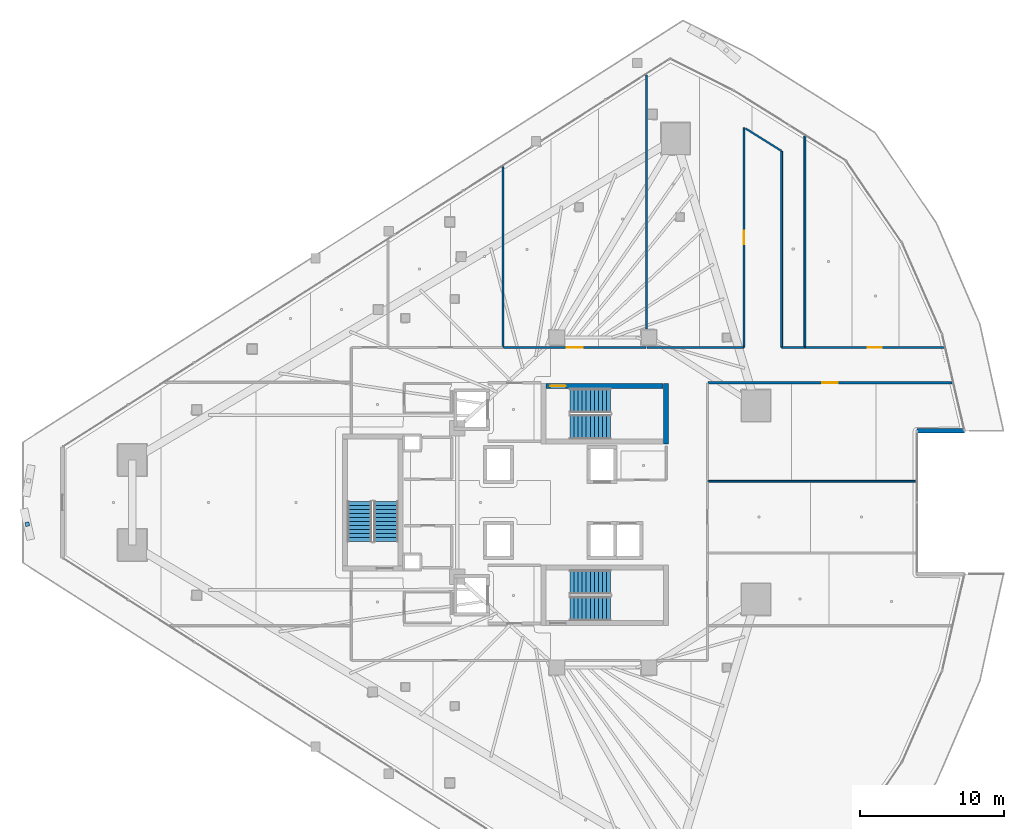
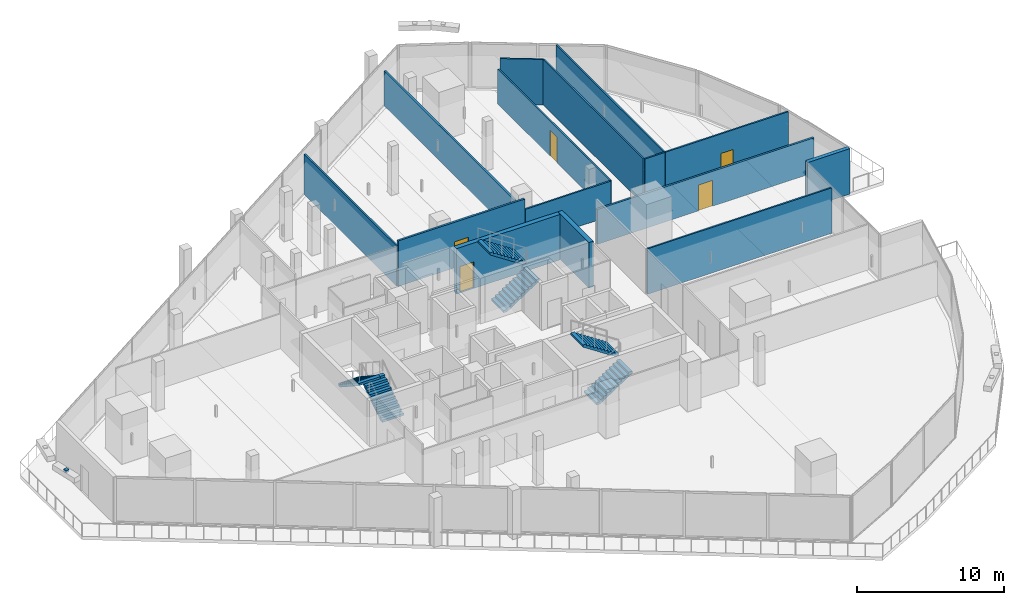
# One storey, part 29 of 42: 15 walls, 6 stair flights, 5 doors, 1 discrete accessory, 5 openings, 3 elements without a shape of their own.
"""IFC4 building model written with IfcOpenShell, lengths in metres."""

from ifc_helpers import new_model, si_unit, direction, frame, frame_2d, origin, origin_2d, place, context, subcontext, project, spatial, polyline, rectangle, outline, extrude, material, layer, layer_set, type_object, element, fill, aggregate, save


model = new_model("IFC4")

# Units and contexts
model_context = context("Model", 3, precision=1e-05, world=origin(), true_north=direction((0.0, 1.0)))
body_context = subcontext(model_context, "Body", "Model", "MODEL_VIEW")
ifc_project = project(units=[si_unit("LENGTHUNIT", "METRE"), si_unit("AREAUNIT", "SQUARE_METRE"), si_unit("VOLUMEUNIT", "CUBIC_METRE"), si_unit("PLANEANGLEUNIT", "RADIAN"), si_unit("MASSUNIT", "GRAM", prefix="KILO")], contexts=[model_context])

# Site, building, storey
site_placement = place(None, origin())
site = spatial("IfcSite", under=ifc_project, at=site_placement, CompositionType="ELEMENT")
building_placement = place(site_placement, origin())
building = spatial("IfcBuilding", under=site, at=building_placement, Name="Qorvath Tower", CompositionType="ELEMENT")
storey_placement = place(building_placement, frame((0.0, 0.0, 121.949951171875)))
storey = spatial("IfcBuildingStorey", under=building, at=storey_placement, Name="L27", CompositionType="ELEMENT", Elevation=121.949951171875)

# Wall, opening, door
ifc_material_1 = material(Name="Double acoustic gypsum board on steel studs", Category="steel")
ifc_layer_1 = layer(ifc_material_1, 0.159912109375)
ifc_layer_set_1 = layer_set([ifc_layer_1], Name="IW-ACOUSTIC-160")
wall_type_1 = type_object("IfcWallType", Name="IW-ACOUSTIC-160", PredefinedType="PARTITIONING", material=ifc_layer_set_1)
wall_1_placement = place(storey_placement, frame((-27.289794921875, 10.758056640625, 0.0), z_axis=(0.0, 0.0, 1.0), x_axis=(1.0, 0.0, 0.0)))
wall_1 = element("IfcWall", 1, at=wall_1_placement, inside=storey, type_object=wall_type_1, Name="Interior Partition IW-T1-L27-027", PredefinedType="PARTITIONING", context=body_context, shape_type="SweptSolid", body=[
    extrude(rectangle(XDim=9.899169921875, YDim=0.159912109375, at=frame_2d((4.94970703125, 0.0))), origin(), (0.0, 0.0, 1.0), 3.77001953125),
])
opening_1_placement = place(wall_1_placement, frame((4.399658203125, 0.0, 0.0)))
opening_1 = element("IfcOpeningElement", 2, at=opening_1_placement, cuts=wall_1, Name="Opening D-T1-L27-08", PredefinedType="OPENING", context=body_context, shape_type="SweptSolid", body=[
    extrude(rectangle(XDim=1.10009765625, YDim=2.14990234375, at=frame_2d((0.550048828125, 1.074951171875))), frame((0.0, 0.08984375, 0.0), z_axis=(0.0, -1.0, 0.0), x_axis=(1.0, 0.0, 0.0)), (0.0, 0.0, 1.0), 0.179931640625),
])
ifc_material_2 = material(Name="Anodised aluminium acoustic framed glass", Category="aluminium")
door_type_1 = type_object("IfcDoorType", Name="D-03", OperationType="NOTDEFINED", PredefinedType="DOOR", material=ifc_material_2)
door_1_placement = place(opening_1_placement, origin())
door_1 = element("IfcDoor", 3, at=door_1_placement, inside=storey, type_object=door_type_1, Name="L27-03 Client Services Office Door D-T1-L27-08", OperationType="SINGLE_SWING_LEFT", OverallHeight=2.14990234375, OverallWidth=1.10009765625, PredefinedType="DOOR", context=body_context, shape_type="SweptSolid", body=[
    extrude(rectangle(XDim=1.10009765625, YDim=2.14990234375, at=frame_2d((0.550048828125, 1.074951171875))), frame((0.0, 0.02490234375, 0.0), z_axis=(0.0, -1.0, 0.0), x_axis=(1.0, 0.0, 0.0)), (0.0, 0.0, 1.0), 0.050048828125),
])
fill(opening_1, door_1)

# Wall
wall_2_placement = place(storey_placement, frame((-17.36572265625, 12.0400390625, 0.0), z_axis=(0.0, 0.0, 1.0), x_axis=(0.0, 1.0, 0.0)))
element("IfcWall", 4, at=wall_2_placement, inside=storey, type_object=wall_type_1, Name="Interior Partition IW-T1-L27-028", PredefinedType="PARTITIONING", context=body_context, shape_type="SweptSolid", body=[
    extrude(rectangle(XDim=17.62841796875, YDim=0.159912109375, at=frame_2d((8.814208984375, 0.0))), origin(), (0.0, 0.0, 1.0), 2.885009765625),
])

# Wall, opening, door
wall_3_placement = place(storey_placement, frame((3.845703125, 8.31201171875, 0.0), z_axis=(0.0, 0.0, 1.0), x_axis=(-1.0, 0.0, 0.0)))
wall_3 = element("IfcWall", 5, at=wall_3_placement, inside=storey, type_object=wall_type_1, Name="Interior Partition IW-T1-L27-047", PredefinedType="PARTITIONING", context=body_context, shape_type="SweptSolid", body=[
    extrude(rectangle(XDim=16.962890625, YDim=0.159912109375, at=frame_2d((8.4814453125, 0.0))), origin(), (0.0, 0.0, 1.0), 2.885009765625),
])
opening_2_placement = place(wall_3_placement, frame((7.931396484375, 0.0, 0.0)))
opening_2 = element("IfcOpeningElement", 6, at=opening_2_placement, cuts=wall_3, Name="Opening D-T1-L27-14", PredefinedType="OPENING", context=body_context, shape_type="SweptSolid", body=[
    extrude(rectangle(XDim=1.10009765625, YDim=2.14990234375, at=frame_2d((0.550048828125, 1.074951171875))), frame((0.0, 0.08984375, 0.0), z_axis=(0.0, -1.0, 0.0), x_axis=(1.0, 0.0, 0.0)), (0.0, 0.0, 1.0), 0.179931640625),
])
door_2_placement = place(opening_2_placement, origin())
door_2 = element("IfcDoor", 7, at=door_2_placement, inside=storey, type_object=door_type_1, Name="L27-09 Digital Visualization Suite Door D-T1-L27-14", OperationType="SINGLE_SWING_LEFT", OverallHeight=2.14990234375, OverallWidth=1.10009765625, PredefinedType="DOOR", context=body_context, shape_type="SweptSolid", body=[
    extrude(rectangle(XDim=1.10009765625, YDim=2.14990234375, at=frame_2d((0.550048828125, 1.074951171875))), frame((0.0, 0.02490234375, 0.0), z_axis=(0.0, -1.0, 0.0), x_axis=(1.0, 0.0, 0.0)), (0.0, 0.0, 1.0), 0.050048828125),
])
fill(opening_2, door_2)

# Walls
ifc_material_3 = material(Name="Gypsum board on metal studs with mineral wool", Category="gypsum")
ifc_layer_2 = layer(ifc_material_3, 0.125)
ifc_layer_set_2 = layer_set([ifc_layer_2], Name="IW-PART-125")
wall_type_2 = type_object("IfcWallType", Name="IW-PART-125", PredefinedType="PARTITIONING", material=ifc_layer_set_2)
wall_4_placement = place(storey_placement, frame((-27.32275390625, 10.783203125, 0.0), z_axis=(0.0, 0.0, 1.0), x_axis=(0.0, 1.0, 0.0)))
element("IfcWall", 8, at=wall_4_placement, inside=storey, type_object=wall_type_2, Name="Interior Partition IW-T1-L27-026", PredefinedType="PARTITIONING", context=body_context, shape_type="SweptSolid", body=[
    extrude(rectangle(XDim=12.521240234375, YDim=0.125, at=frame_2d((6.2607421875, 0.0))), origin(), (0.0, 0.0, 1.0), 3.334228515625),
])
wall_5_placement = place(storey_placement, frame((-17.332763671875, 10.758056640625, 0.0), z_axis=(0.0, 0.0, 1.0), x_axis=(1.0, 0.0, 0.0)))
element("IfcWall", 9, at=wall_5_placement, inside=storey, type_object=wall_type_2, Name="Interior Partition IW-T1-L27-029", PredefinedType="PARTITIONING", context=body_context, shape_type="SweptSolid", body=[
    extrude(rectangle(XDim=6.699951171875, YDim=0.125, at=frame_2d((3.35009765625, 0.0))), origin(), (0.0, 0.0, 1.0), 2.885009765625),
])

# Wall, opening, door
wall_6_placement = place(storey_placement, frame((-10.60791015625, 10.783203125, 0.0), z_axis=(0.0, 0.0, 1.0), x_axis=(0.0, 1.0, 0.0)))
wall_6 = element("IfcWall", 10, at=wall_6_placement, inside=storey, type_object=wall_type_2, Name="Interior Partition IW-T1-L27-030", PredefinedType="PARTITIONING", context=body_context, shape_type="SweptSolid", body=[
    extrude(rectangle(XDim=15.21337890625, YDim=0.125, at=frame_2d((7.606689453125, 0.0))), origin(), (0.0, 0.0, 1.0), 2.889892578125),
])
opening_3_placement = place(wall_6_placement, frame((7.131591796875, 0.0, 0.0)))
opening_3 = element("IfcOpeningElement", 11, at=opening_3_placement, cuts=wall_6, Name="Opening D-T1-L27-09", PredefinedType="OPENING", context=body_context, shape_type="SweptSolid", body=[
    extrude(rectangle(XDim=0.949951171875, YDim=2.14990234375, at=frame_2d((0.47509765625, 1.074951171875))), frame((0.0, 0.072509765625, 0.0), z_axis=(0.0, -1.0, 0.0), x_axis=(1.0, 0.0, 0.0)), (0.0, 0.0, 1.0), 0.14501953125),
])
ifc_material_4 = material(Name="Solid-core American white oak veneer", Category="wood")
door_type_2 = type_object("IfcDoorType", Name="D-01", OperationType="NOTDEFINED", PredefinedType="DOOR", material=ifc_material_4)
door_3_placement = place(opening_3_placement, origin())
door_3 = element("IfcDoor", 12, at=door_3_placement, inside=storey, type_object=door_type_2, Name="L27-04 Project Collaboration Workspace Door D-T1-L27-09", OperationType="SINGLE_SWING_RIGHT", OverallHeight=2.14990234375, OverallWidth=0.949951171875, PredefinedType="DOOR", context=body_context, shape_type="SweptSolid", body=[
    extrude(rectangle(XDim=0.949951171875, YDim=2.14990234375, at=frame_2d((0.47509765625, 1.074951171875))), frame((0.0, 0.02490234375, 0.0), z_axis=(0.0, -1.0, 0.0), x_axis=(1.0, 0.0, 0.0)), (0.0, 0.0, 1.0), 0.050048828125),
])
fill(opening_3, door_3)

# Walls
wall_7_placement = place(storey_placement, frame((-8.01318359375, 24.402099609375, 0.0), z_axis=(0.0, 0.0, 1.0), x_axis=(-0.848320763836, 0.529482654716, 0.0)))
element("IfcWall", 13, at=wall_7_placement, inside=storey, type_object=wall_type_2, Name="Interior Partition IW-T1-L27-031", PredefinedType="PARTITIONING", context=body_context, shape_type="SweptSolid", body=[
    extrude(rectangle(XDim=2.93359375, YDim=0.125, at=frame_2d((1.466796875, 0.0))), origin(), (0.0, 0.0, 1.0), 3.77001953125),
])
wall_8_placement = place(storey_placement, frame((-7.991943359375, 10.783203125, 0.0), z_axis=(0.0, 0.0, 1.0), x_axis=(0.0, 1.0, 0.0)))
element("IfcWall", 14, at=wall_8_placement, inside=storey, type_object=wall_type_2, Name="Interior Partition IW-T1-L27-032", PredefinedType="PARTITIONING", context=body_context, shape_type="SweptSolid", body=[
    extrude(rectangle(XDim=13.580810546875, YDim=0.125, at=frame_2d((6.79052734375, 0.0))), origin(), (0.0, 0.0, 1.0), 3.77001953125),
])
wall_9_placement = place(storey_placement, frame((-7.966796875, 10.758056640625, 0.0), z_axis=(0.0, 0.0, 1.0), x_axis=(1.0, 0.0, 0.0)))
element("IfcWall", 15, at=wall_9_placement, inside=storey, type_object=wall_type_2, Name="Interior Partition IW-T1-L27-033", PredefinedType="PARTITIONING", context=body_context, shape_type="SweptSolid", body=[
    extrude(rectangle(XDim=1.564208984375, YDim=0.125, at=frame_2d((0.7822265625, 0.0))), origin(), (0.0, 0.0, 1.0), 3.77001953125),
])
wall_10_placement = place(storey_placement, frame((-6.377685546875, 10.783203125, 0.0), z_axis=(0.0, 0.0, 1.0), x_axis=(0.0, 1.0, 0.0)))
element("IfcWall", 16, at=wall_10_placement, inside=storey, type_object=wall_type_2, Name="Interior Partition IW-T1-L27-034", PredefinedType="PARTITIONING", context=body_context, shape_type="SweptSolid", body=[
    extrude(rectangle(XDim=14.63037109375, YDim=0.125, at=frame_2d((7.315185546875, 0.0))), origin(), (0.0, 0.0, 1.0), 3.77001953125),
])

# Wall, opening, door
wall_11_placement = place(storey_placement, frame((-6.344482421875, 10.758056640625, 0.0), z_axis=(0.0, 0.0, 1.0), x_axis=(1.0, 0.0, 0.0)))
wall_11 = element("IfcWall", 17, at=wall_11_placement, inside=storey, type_object=wall_type_2, Name="Interior Partition IW-T1-L27-035", PredefinedType="PARTITIONING", context=body_context, shape_type="SweptSolid", body=[
    extrude(rectangle(XDim=9.624755859375, YDim=0.125, at=frame_2d((4.8125, 0.0))), origin(), (0.0, 0.0, 1.0), 3.77001953125),
])
opening_4_placement = place(wall_11_placement, frame((4.33740234375, 0.0, 0.0)))
opening_4 = element("IfcOpeningElement", 18, at=opening_4_placement, cuts=wall_11, Name="Opening D-T1-L27-10", PredefinedType="OPENING", context=body_context, shape_type="SweptSolid", body=[
    extrude(rectangle(XDim=0.949951171875, YDim=2.14990234375, at=frame_2d((0.47509765625, 1.074951171875))), frame((0.0, 0.072509765625, 0.0), z_axis=(0.0, -1.0, 0.0), x_axis=(1.0, 0.0, 0.0)), (0.0, 0.0, 1.0), 0.14501953125),
])
door_4_placement = place(opening_4_placement, origin())
door_4 = element("IfcDoor", 19, at=door_4_placement, inside=storey, type_object=door_type_2, Name="L27-05 Staff Wellness Studio Door D-T1-L27-10", OperationType="SINGLE_SWING_LEFT", OverallHeight=2.14990234375, OverallWidth=0.949951171875, PredefinedType="DOOR", context=body_context, shape_type="SweptSolid", body=[
    extrude(rectangle(XDim=0.949951171875, YDim=2.14990234375, at=frame_2d((0.47509765625, 1.074951171875))), frame((0.0, 0.02490234375, 0.0), z_axis=(0.0, -1.0, 0.0), x_axis=(1.0, 0.0, 0.0)), (0.0, 0.0, 1.0), 0.050048828125),
])
fill(opening_4, door_4)

# Walls
wall_12_placement = place(storey_placement, frame((1.306884765625, 1.477783203125, 0.0), z_axis=(0.0, 0.0, 1.0), x_axis=(-1.0, 0.0, 0.0)))
element("IfcWall", 20, at=wall_12_placement, inside=storey, type_object=wall_type_2, Name="Interior Partition IW-T1-L27-046", PredefinedType="PARTITIONING", context=body_context, shape_type="SweptSolid", body=[
    extrude(rectangle(XDim=14.424072265625, YDim=0.125, at=frame_2d((7.2119140625, 0.0))), origin(), (0.0, 0.0, 1.0), 3.77001953125),
])
ifc_material_5 = material(Name="Concrete C60/75", Category="concrete")
ifc_layer_3 = layer(ifc_material_5, 0.35009765625)
ifc_layer_set_3 = layer_set([ifc_layer_3], Name="SW-STAIR")
wall_type_3 = type_object("IfcWallType", Name="SW-STAIR", PredefinedType="SHEAR", material=ifc_layer_set_3)
wall_13_placement = place(storey_placement, frame((-16.02490234375, 4.050048828125, 0.0), z_axis=(0.0, 0.0, 1.0), x_axis=(0.0, 1.0, 0.0)))
element("IfcWall", 21, at=wall_13_placement, inside=storey, type_object=wall_type_3, Name="Stair TS1 Shear Wall L27 FAR", PredefinedType="SHEAR", context=body_context, shape_type="SweptSolid", body=[
    extrude(rectangle(XDim=4.2099609375, YDim=0.35009765625, at=frame_2d((2.10498046875, 0.0))), origin(), (0.0, 0.0, 1.0), 3.77001953125),
])

# Wall, opening, door
wall_14_placement = place(storey_placement, frame((-16.215087890625, 8.0849609375, 0.0), z_axis=(0.0, 0.0, 1.0), x_axis=(-1.0, 0.0, 0.0)))
wall_14 = element("IfcWall", 22, at=wall_14_placement, inside=storey, type_object=wall_type_3, Name="Stair TS1 Shear Wall L27 RIGHT", PredefinedType="SHEAR", context=body_context, shape_type="SweptSolid", body=[
    extrude(rectangle(XDim=8.119873046875, YDim=0.35009765625, at=frame_2d((4.06005859375, 0.0))), origin(), (0.0, 0.0, 1.0), 3.77001953125),
])
opening_5_placement = place(wall_14_placement, frame((6.739990234375, 0.0, 0.0)))
opening_5 = element("IfcOpeningElement", 23, at=opening_5_placement, cuts=wall_14, Name="Opening D-TS1-L27", PredefinedType="OPENING", context=body_context, shape_type="SweptSolid", body=[
    extrude(rectangle(XDim=1.10009765625, YDim=2.199951171875, at=frame_2d((0.550048828125, 1.10009765625))), frame((0.0, 0.18505859375, 0.0), z_axis=(0.0, -1.0, 0.0), x_axis=(1.0, 0.0, 0.0)), (0.0, 0.0, 1.0), 0.3701171875),
])
ifc_material_6 = material(Name="Painted galvanised hollow metal", Category="steel")
door_type_3 = type_object("IfcDoorType", Name="FD-90", OperationType="NOTDEFINED", PredefinedType="DOOR", material=ifc_material_6)
door_5_placement = place(opening_5_placement, origin())
door_5 = element("IfcDoor", 24, at=door_5_placement, inside=storey, type_object=door_type_3, Name="Stair TS1 Fire Door L27", OperationType="SINGLE_SWING_RIGHT", OverallHeight=2.199951171875, OverallWidth=1.10009765625, PredefinedType="DOOR", context=body_context, shape_type="SweptSolid", body=[
    extrude(rectangle(XDim=1.10009765625, YDim=2.199951171875, at=frame_2d((0.550048828125, 1.10009765625))), frame((0.0, 0.02490234375, 0.0), z_axis=(0.0, -1.0, 0.0), x_axis=(1.0, 0.0, 0.0)), (0.0, 0.0, 1.0), 0.050048828125),
])
fill(opening_5, door_5)

# Wall
ifc_material_7 = material(Name="Precast concrete C45/55", Category="concrete")
ifc_layer_4 = layer(ifc_material_7, 0.300048828125)
ifc_layer_set_4 = layer_set([ifc_layer_4], Name="WL-EW-LOG-300")
wall_type_4 = type_object("IfcWallType", Name="WL-EW-LOG-300", PredefinedType="SOLIDWALL", material=ifc_layer_set_4)
wall_15_placement = place(storey_placement, frame((1.386962890625, 4.968017578125, 0.0), z_axis=(0.0, 0.0, 1.0), x_axis=(1.0, 0.0, 0.0)))
element("IfcWall", 25, at=wall_15_placement, inside=storey, type_object=wall_type_4, Name="Tower Precast Loggia Wall L27-10.1", PredefinedType="SOLIDWALL", context=body_context, shape_type="SweptSolid", body=[
    extrude(rectangle(XDim=3.31201171875, YDim=0.300048828125, at=frame_2d((1.656005859375, 0.0))), origin(), (0.0, 0.0, 1.0), 3.77001953125),
])

# Stair, stair flights
ifc_material_8 = material(Name="Concrete C50/60", Category="concrete")
stair_type = type_object("IfcStairType", Name="ST-H405", PredefinedType="HALF_TURN_STAIR", material=ifc_material_8)
stair_1_placement = place(storey_placement, origin())
stair_1 = element("IfcStair", 26, at=stair_1_placement, inside=storey, type_object=stair_type, Name="L27 Tower Exit Stair 1", PredefinedType="HALF_TURN_STAIR")
ifc_material_9 = material(Name="Concrete C50/60", Category="concrete")
ifc_layer_5 = layer(ifc_material_9, 0.14990234375)
ifc_layer_set_5 = layer_set([ifc_layer_5], Name="SF-H405")
stair_flight_type = type_object("IfcStairFlightType", Name="SF-H405", PredefinedType="STRAIGHT", material=ifc_layer_set_5)
stair_flight_1_placement = place(storey_placement, frame((-22.669921875, 5.239990234375, 0.0), z_axis=(0.0, 0.0, 1.0), x_axis=(1.0, 0.0, 0.0)))
stair_flight_1 = element("IfcStairFlight", 27, at=stair_flight_1_placement, type_object=stair_flight_type, Name="TS1 flight 1", NumberOfRisers=11, NumberOfTreads=10, PredefinedType="STRAIGHT", RiserHeight=0.184090909, TreadLength=0.28, context=body_context, shape_type="SweptSolid", body=[
    extrude(outline(polyline([(0.0, 0.0), (0.0, 0.18408203125), (0.280029296875, 0.18408203125), (0.280029296875, 0.3681640625), (0.56005859375, 0.3681640625), (0.56005859375, 0.55224609375), (0.840087890625, 0.55224609375), (0.840087890625, 0.736328125), (1.1201171875, 0.736328125), (1.1201171875, 0.92041015625), (1.39990234375, 0.92041015625), (1.39990234375, 1.1044921875), (1.679931640625, 1.1044921875), (1.679931640625, 1.28857421875), (1.9599609375, 1.28857421875), (1.9599609375, 1.47265625), (2.239990234375, 1.47265625), (2.239990234375, 1.65673828125), (2.52001953125, 1.65673828125), (2.52001953125, 1.8408203125), (2.800048828125, 1.8408203125), (2.800048828125, 2.02490234375), (2.800048828125, 1.66162109375), (0.27294921875, 0.0), (0.0, 0.0)])), frame((0.0, 0.83984375, 0.0), z_axis=(0.0, -1.0, 0.0), x_axis=(1.0, 0.0, 0.0)), (0.0, 0.0, 1.0), 1.679931640625),
])
stair_flight_2_placement = place(storey_placement, frame((-19.8701171875, 7.070068359375, 2.025146484375), z_axis=(0.0, 0.0, 1.0), x_axis=(-1.0, 0.0, 0.0)))
stair_flight_2 = element("IfcStairFlight", 28, at=stair_flight_2_placement, type_object=stair_flight_type, Name="TS1 flight 2", NumberOfRisers=11, NumberOfTreads=10, PredefinedType="STRAIGHT", RiserHeight=0.184090909, TreadLength=0.28, context=body_context, shape_type="SweptSolid", body=[
    extrude(outline(polyline([(0.0, 0.0), (0.0, 0.18408203125), (0.280029296875, 0.18408203125), (0.280029296875, 0.3681640625), (0.56005859375, 0.3681640625), (0.56005859375, 0.55224609375), (0.840087890625, 0.55224609375), (0.840087890625, 0.736328125), (1.1201171875, 0.736328125), (1.1201171875, 0.92041015625), (1.39990234375, 0.92041015625), (1.39990234375, 1.1044921875), (1.679931640625, 1.1044921875), (1.679931640625, 1.28857421875), (1.9599609375, 1.28857421875), (1.9599609375, 1.47265625), (2.239990234375, 1.47265625), (2.239990234375, 1.65673828125), (2.52001953125, 1.65673828125), (2.52001953125, 1.8408203125), (2.800048828125, 1.8408203125), (2.800048828125, 2.02490234375), (2.800048828125, 1.66162109375), (0.27294921875, 0.0), (0.0, 0.0)])), frame((0.0, 0.83984375, 0.0), z_axis=(0.0, -1.0, 0.0), x_axis=(1.0, 0.0, 0.0)), (0.0, 0.0, 1.0), 1.679931640625),
])
aggregate(stair_1, [stair_flight_1, stair_flight_2])

stair_2_placement = place(storey_placement, origin())
stair_2 = element("IfcStair", 29, at=stair_2_placement, inside=storey, type_object=stair_type, Name="L27 Tower Exit Stair 2", PredefinedType="HALF_TURN_STAIR")
stair_flight_3_placement = place(storey_placement, frame((-22.669921875, -7.360107421875, 0.0), z_axis=(0.0, 0.0, 1.0), x_axis=(1.0, 0.0, 0.0)))
stair_flight_3 = element("IfcStairFlight", 30, at=stair_flight_3_placement, type_object=stair_flight_type, Name="TS2 flight 1", NumberOfRisers=11, NumberOfTreads=10, PredefinedType="STRAIGHT", RiserHeight=0.184090909, TreadLength=0.28, context=body_context, shape_type="SweptSolid", body=[
    extrude(outline(polyline([(0.0, 0.0), (0.0, 0.18408203125), (0.280029296875, 0.18408203125), (0.280029296875, 0.3681640625), (0.56005859375, 0.3681640625), (0.56005859375, 0.55224609375), (0.840087890625, 0.55224609375), (0.840087890625, 0.736328125), (1.1201171875, 0.736328125), (1.1201171875, 0.92041015625), (1.39990234375, 0.92041015625), (1.39990234375, 1.1044921875), (1.679931640625, 1.1044921875), (1.679931640625, 1.28857421875), (1.9599609375, 1.28857421875), (1.9599609375, 1.47265625), (2.239990234375, 1.47265625), (2.239990234375, 1.65673828125), (2.52001953125, 1.65673828125), (2.52001953125, 1.8408203125), (2.800048828125, 1.8408203125), (2.800048828125, 2.02490234375), (2.800048828125, 1.66162109375), (0.27294921875, 0.0), (0.0, 0.0)])), frame((0.0, 0.83984375, 0.0), z_axis=(0.0, -1.0, 0.0), x_axis=(1.0, 0.0, 0.0)), (0.0, 0.0, 1.0), 1.679931640625),
])
stair_flight_4_placement = place(storey_placement, frame((-19.8701171875, -5.530029296875, 2.025146484375), z_axis=(0.0, 0.0, 1.0), x_axis=(-1.0, 0.0, 0.0)))
stair_flight_4 = element("IfcStairFlight", 31, at=stair_flight_4_placement, type_object=stair_flight_type, Name="TS2 flight 2", NumberOfRisers=11, NumberOfTreads=10, PredefinedType="STRAIGHT", RiserHeight=0.184090909, TreadLength=0.28, context=body_context, shape_type="SweptSolid", body=[
    extrude(outline(polyline([(0.0, 0.0), (0.0, 0.18408203125), (0.280029296875, 0.18408203125), (0.280029296875, 0.3681640625), (0.56005859375, 0.3681640625), (0.56005859375, 0.55224609375), (0.840087890625, 0.55224609375), (0.840087890625, 0.736328125), (1.1201171875, 0.736328125), (1.1201171875, 0.92041015625), (1.39990234375, 0.92041015625), (1.39990234375, 1.1044921875), (1.679931640625, 1.1044921875), (1.679931640625, 1.28857421875), (1.9599609375, 1.28857421875), (1.9599609375, 1.47265625), (2.239990234375, 1.47265625), (2.239990234375, 1.65673828125), (2.52001953125, 1.65673828125), (2.52001953125, 1.8408203125), (2.800048828125, 1.8408203125), (2.800048828125, 2.02490234375), (2.800048828125, 1.66162109375), (0.27294921875, 0.0), (0.0, 0.0)])), frame((0.0, 0.83984375, 0.0), z_axis=(0.0, -1.0, 0.0), x_axis=(1.0, 0.0, 0.0)), (0.0, 0.0, 1.0), 1.679931640625),
])
aggregate(stair_2, [stair_flight_3, stair_flight_4])

stair_3_placement = place(storey_placement, origin())
stair_3 = element("IfcStair", 32, at=stair_3_placement, inside=storey, type_object=stair_type, Name="L27 Tower Exit Stair 3", PredefinedType="HALF_TURN_STAIR")
stair_flight_5_placement = place(storey_placement, frame((-35.43994140625, -2.719970703125, 0.0), z_axis=(0.0, 0.0, 1.0), x_axis=(0.0, 1.0, 0.0)))
stair_flight_5 = element("IfcStairFlight", 33, at=stair_flight_5_placement, type_object=stair_flight_type, Name="TS3 flight 1", NumberOfRisers=11, NumberOfTreads=10, PredefinedType="STRAIGHT", RiserHeight=0.184090909, TreadLength=0.28, context=body_context, shape_type="SweptSolid", body=[
    extrude(outline(polyline([(0.0, 0.0), (0.0, 0.18408203125), (0.280029296875, 0.18408203125), (0.280029296875, 0.3681640625), (0.56005859375, 0.3681640625), (0.56005859375, 0.55224609375), (0.840087890625, 0.55224609375), (0.840087890625, 0.736328125), (1.1201171875, 0.736328125), (1.1201171875, 0.92041015625), (1.39990234375, 0.92041015625), (1.39990234375, 1.1044921875), (1.679931640625, 1.1044921875), (1.679931640625, 1.28857421875), (1.9599609375, 1.28857421875), (1.9599609375, 1.47265625), (2.239990234375, 1.47265625), (2.239990234375, 1.65673828125), (2.52001953125, 1.65673828125), (2.52001953125, 1.8408203125), (2.800048828125, 1.8408203125), (2.800048828125, 2.02490234375), (2.800048828125, 1.66162109375), (0.27294921875, 0.0), (0.0, 0.0)])), frame((0.0, 0.83984375, 0.0), z_axis=(0.0, -1.0, 0.0), x_axis=(1.0, 0.0, 0.0)), (0.0, 0.0, 1.0), 1.679931640625),
])
stair_flight_6_placement = place(storey_placement, frame((-37.27001953125, 0.080078125, 2.025146484375), z_axis=(0.0, 0.0, 1.0), x_axis=(0.0, -1.0, 0.0)))
stair_flight_6 = element("IfcStairFlight", 34, at=stair_flight_6_placement, type_object=stair_flight_type, Name="TS3 flight 2", NumberOfRisers=11, NumberOfTreads=10, PredefinedType="STRAIGHT", RiserHeight=0.184090909, TreadLength=0.28, context=body_context, shape_type="SweptSolid", body=[
    extrude(outline(polyline([(0.0, 0.0), (0.0, 0.18408203125), (0.280029296875, 0.18408203125), (0.280029296875, 0.3681640625), (0.56005859375, 0.3681640625), (0.56005859375, 0.55224609375), (0.840087890625, 0.55224609375), (0.840087890625, 0.736328125), (1.1201171875, 0.736328125), (1.1201171875, 0.92041015625), (1.39990234375, 0.92041015625), (1.39990234375, 1.1044921875), (1.679931640625, 1.1044921875), (1.679931640625, 1.28857421875), (1.9599609375, 1.28857421875), (1.9599609375, 1.47265625), (2.239990234375, 1.47265625), (2.239990234375, 1.65673828125), (2.52001953125, 1.65673828125), (2.52001953125, 1.8408203125), (2.800048828125, 1.8408203125), (2.800048828125, 2.02490234375), (2.800048828125, 1.66162109375), (0.27294921875, 0.0), (0.0, 0.0)])), frame((0.0, 0.83984375, 0.0), z_axis=(0.0, -1.0, 0.0), x_axis=(1.0, 0.0, 0.0)), (0.0, 0.0, 1.0), 1.679931640625),
])
aggregate(stair_3, [stair_flight_5, stair_flight_6])

# Discrete accessory
ifc_material_10 = material(Name="Galvanised steel bracket", Category="steel")
discrete_accessory_type = type_object("IfcDiscreteAccessoryType", Name="DA-BRACKET", PredefinedType="BRACKET", material=ifc_material_10)
discrete_accessory_placement = place(storey_placement, frame((-60.33251953125, -1.505615234375, 3.6298828125), z_axis=(0.0, 0.0, 1.0), x_axis=(0.217371580175, -0.976088928393, 0.0)))
element("IfcDiscreteAccessory", 35, at=discrete_accessory_placement, inside=storey, type_object=discrete_accessory_type, Name="Louvre Wave Support Bracket L27-02", PredefinedType="NOTDEFINED", context=body_context, shape_type="SweptSolid", body=[
    extrude(rectangle(XDim=0.280029296875, YDim=0.280029296875, at=origin_2d()), origin(), (0.0, 0.0, 1.0), 0.199951171875),
])

save(model, "model.ifc")
